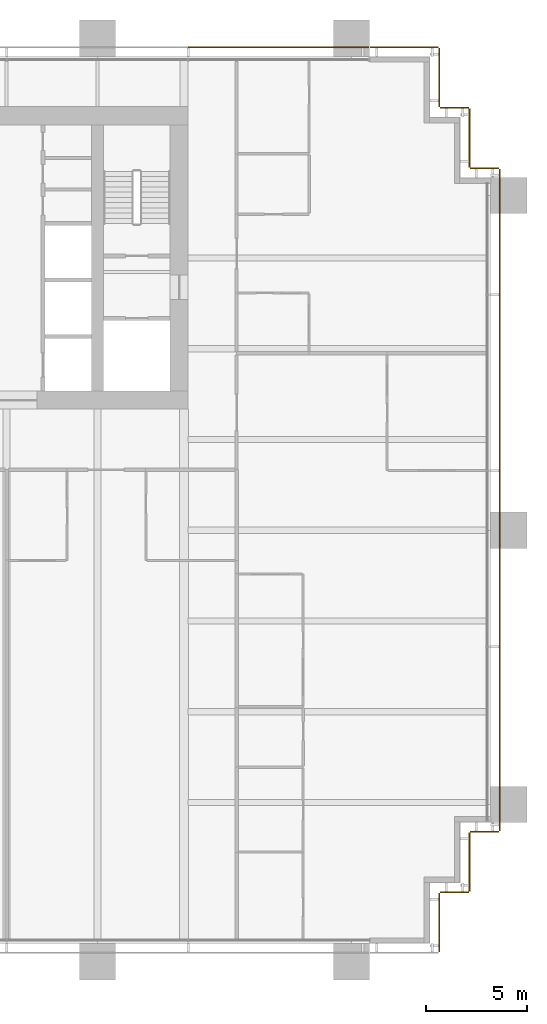
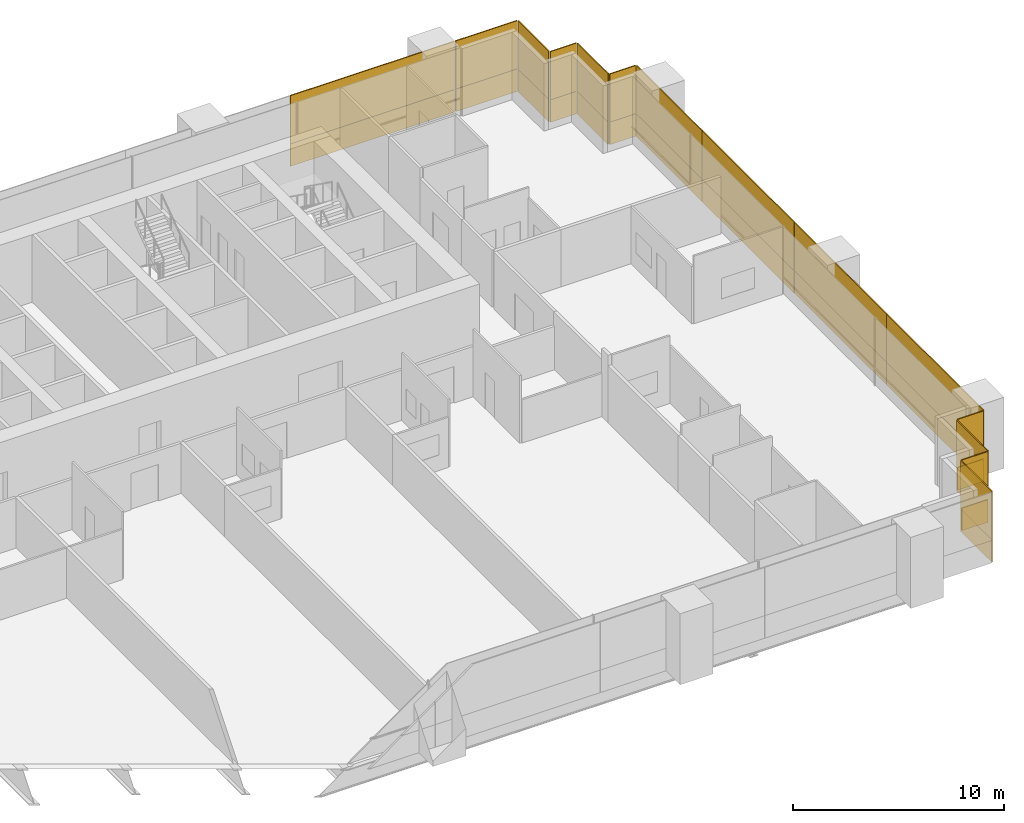
# One storey, part 20 of 20: 28 coverings.
"""IFC4 building model written with IfcOpenShell, lengths in metres."""

from ifc_helpers import new_model, si_unit, direction, frame, origin, origin_2d, place, context, subcontext, project, spatial, rectangle, extrude, material, layer, layer_set, type_object, element, save


model = new_model("IFC4")

# Units and contexts
model_context = context("Model", 3, precision=1e-05, world=origin(), true_north=direction((0.0, 1.0)))
body_context = subcontext(model_context, "Body", "Model", "MODEL_VIEW")
ifc_project = project(units=[si_unit("LENGTHUNIT", "METRE"), si_unit("AREAUNIT", "SQUARE_METRE"), si_unit("VOLUMEUNIT", "CUBIC_METRE"), si_unit("PLANEANGLEUNIT", "RADIAN"), si_unit("MASSUNIT", "GRAM", prefix="KILO")], contexts=[model_context])

# Site, building, storey
site_placement = place(None, origin())
site = spatial("IfcSite", under=ifc_project, at=site_placement, CompositionType="ELEMENT")
building_placement = place(site_placement, origin())
building = spatial("IfcBuilding", under=site, at=building_placement, Name="Rattan Terrace Tower", CompositionType="ELEMENT")
storey_placement = place(building_placement, frame((0.0, 0.0, 40.60009765625)))
storey = spatial("IfcBuildingStorey", under=building, at=storey_placement, Name="L08", CompositionType="ELEMENT", Elevation=40.60009765625)

# Coverings
ifc_material_1 = material(Name="Solid terracotta", Category="masonry")
ifc_layer_1 = layer(ifc_material_1, 0.06005859375)
ifc_layer_set_1 = layer_set([ifc_layer_1], Name="Facade Terracotta Band Panel")
covering_type_1 = type_object("IfcCoveringType", Name="Facade Terracotta Band Panel", PredefinedType="CLADDING", material=ifc_layer_set_1)
covering_1_placement = place(storey_placement, frame((30.449951171875, -32.949951171875, -0.18994140625), z_axis=(0.0, 0.0, 1.0), x_axis=(0.0, 1.0, 0.0)))
element("IfcCovering", 1, at=covering_1_placement, inside=storey, type_object=covering_type_1, Name="OUTER SKIN panel L08-2A", PredefinedType="CLADDING", context=body_context, shape_type="SweptSolid", body=[
    extrude(rectangle(XDim=2.919921875, YDim=0.06005859375, at=origin_2d()), origin(), (0.0, 0.0, 1.0), 1.300048828125),
])
covering_2_placement = place(storey_placement, frame((31.199951171875, -31.449951171875, -0.18994140625), z_axis=(0.0, 0.0, 1.0), x_axis=(1.0, 0.0, 0.0)))
element("IfcCovering", 2, at=covering_2_placement, inside=storey, type_object=covering_type_1, Name="OUTER SKIN panel L08-3A", PredefinedType="CLADDING", context=body_context, shape_type="SweptSolid", body=[
    extrude(rectangle(XDim=1.419921875, YDim=0.06005859375, at=origin_2d()), origin(), (0.0, 0.0, 1.0), 1.300048828125),
])
covering_3_placement = place(storey_placement, frame((31.949951171875, -29.949951171875, -0.18994140625), z_axis=(0.0, 0.0, 1.0), x_axis=(0.0, 1.0, 0.0)))
element("IfcCovering", 3, at=covering_3_placement, inside=storey, type_object=covering_type_1, Name="OUTER SKIN panel L08-4A", PredefinedType="CLADDING", context=body_context, shape_type="SweptSolid", body=[
    extrude(rectangle(XDim=2.919921875, YDim=0.06005859375, at=origin_2d()), origin(), (0.0, 0.0, 1.0), 1.300048828125),
])
covering_4_placement = place(storey_placement, frame((32.699951171875, -28.449951171875, -0.18994140625), z_axis=(0.0, 0.0, 1.0), x_axis=(1.0, 0.0, 0.0)))
element("IfcCovering", 4, at=covering_4_placement, inside=storey, type_object=covering_type_1, Name="OUTER SKIN panel L08-5A", PredefinedType="CLADDING", context=body_context, shape_type="SweptSolid", body=[
    extrude(rectangle(XDim=1.419921875, YDim=0.06005859375, at=origin_2d()), origin(), (0.0, 0.0, 1.0), 1.300048828125),
])
covering_5_placement = place(storey_placement, frame((33.449951171875, -23.846435546875, -0.18994140625), z_axis=(0.0, 0.0, 1.0), x_axis=(0.0, 1.0, 0.0)))
element("IfcCovering", 5, at=covering_5_placement, inside=storey, type_object=covering_type_1, Name="OUTER SKIN panel L08-6A", PredefinedType="CLADDING", context=body_context, shape_type="SweptSolid", body=[
    extrude(rectangle(XDim=9.126953125, YDim=0.06005859375, at=origin_2d()), origin(), (0.0, 0.0, 1.0), 1.300048828125),
])
for number, where, z_axis, x_axis, name in (
    (6, (33.449951171875, -14.909423828125, -0.18994140625), (0.0, 0.0, 1.0), (0.0, 1.0, 0.0), "OUTER SKIN panel L08-7A"),
    (7, (33.449951171875, -6.1826171875, -0.18994140625), (0.0, 0.0, 1.0), (0.0, 1.0, 0.0), "OUTER SKIN panel L08-8A"),
):
    element("IfcCovering", number, at=place(storey_placement, frame(where, z_axis=z_axis, x_axis=x_axis)), inside=storey, type_object=covering_type_1, Name=name, PredefinedType="CLADDING", context=body_context, shape_type="SweptSolid", body=[
        extrude(rectangle(XDim=8.70703125, YDim=0.06005859375, at=origin_2d()), origin(), (0.0, 0.0, 1.0), 1.300048828125),
    ])
covering_6_placement = place(storey_placement, frame((33.449951171875, 1.300537109375, -0.18994140625), z_axis=(0.0, 0.0, 1.0), x_axis=(0.0, 1.0, 0.0)))
element("IfcCovering", 8, at=covering_6_placement, inside=storey, type_object=covering_type_1, Name="OUTER SKIN panel L08-9A", PredefinedType="CLADDING", context=body_context, shape_type="SweptSolid", body=[
    extrude(rectangle(XDim=6.218994140625, YDim=0.06005859375, at=origin_2d()), origin(), (0.0, 0.0, 1.0), 1.300048828125),
])
covering_7_placement = place(storey_placement, frame((32.699951171875, 4.449951171875, -0.18994140625), z_axis=(0.0, 0.0, 1.0), x_axis=(-1.0, 0.0, 0.0)))
element("IfcCovering", 9, at=covering_7_placement, inside=storey, type_object=covering_type_1, Name="OUTER SKIN panel L08-10A", PredefinedType="CLADDING", context=body_context, shape_type="SweptSolid", body=[
    extrude(rectangle(XDim=1.419921875, YDim=0.06005859375, at=origin_2d()), origin(), (0.0, 0.0, 1.0), 1.300048828125),
])
covering_8_placement = place(storey_placement, frame((31.949951171875, 5.949951171875, -0.18994140625), z_axis=(0.0, 0.0, 1.0), x_axis=(0.0, 1.0, 0.0)))
element("IfcCovering", 10, at=covering_8_placement, inside=storey, type_object=covering_type_1, Name="OUTER SKIN panel L08-11A", PredefinedType="CLADDING", context=body_context, shape_type="SweptSolid", body=[
    extrude(rectangle(XDim=2.919921875, YDim=0.06005859375, at=origin_2d()), origin(), (0.0, 0.0, 1.0), 1.300048828125),
])
covering_9_placement = place(storey_placement, frame((31.199951171875, 7.449951171875, -0.18994140625), z_axis=(0.0, 0.0, 1.0), x_axis=(-1.0, 0.0, 0.0)))
element("IfcCovering", 11, at=covering_9_placement, inside=storey, type_object=covering_type_1, Name="OUTER SKIN panel L08-12A", PredefinedType="CLADDING", context=body_context, shape_type="SweptSolid", body=[
    extrude(rectangle(XDim=1.419921875, YDim=0.06005859375, at=origin_2d()), origin(), (0.0, 0.0, 1.0), 1.300048828125),
])
covering_10_placement = place(storey_placement, frame((30.449951171875, 8.949951171875, -0.18994140625), z_axis=(0.0, 0.0, 1.0), x_axis=(0.0, 1.0, 0.0)))
element("IfcCovering", 12, at=covering_10_placement, inside=storey, type_object=covering_type_1, Name="OUTER SKIN panel L08-13A", PredefinedType="CLADDING", context=body_context, shape_type="SweptSolid", body=[
    extrude(rectangle(XDim=2.919921875, YDim=0.06005859375, at=origin_2d()), origin(), (0.0, 0.0, 1.0), 1.300048828125),
])
covering_11_placement = place(storey_placement, frame((28.72509765625, 10.449951171875, -0.18994140625), z_axis=(0.0, 0.0, 1.0), x_axis=(-1.0, 0.0, 0.0)))
element("IfcCovering", 13, at=covering_11_placement, inside=storey, type_object=covering_type_1, Name="OUTER SKIN panel L08-14A", PredefinedType="CLADDING", context=body_context, shape_type="SweptSolid", body=[
    extrude(rectangle(XDim=3.3701171875, YDim=0.06005859375, at=origin_2d()), origin(), (0.0, 0.0, 1.0), 1.300048828125),
])
covering_12_placement = place(storey_placement, frame((22.485107421875, 10.449951171875, -0.18994140625), z_axis=(0.0, 0.0, 1.0), x_axis=(-1.0, 0.0, 0.0)))
element("IfcCovering", 14, at=covering_12_placement, inside=storey, type_object=covering_type_1, Name="OUTER SKIN panel L08-15A", PredefinedType="CLADDING", context=body_context, shape_type="SweptSolid", body=[
    extrude(rectangle(XDim=8.949951171875, YDim=0.06005859375, at=origin_2d()), origin(), (0.0, 0.0, 1.0), 1.300048828125),
])
ifc_material_2 = material(Name="Perforated terracotta", Category="masonry")
ifc_layer_2 = layer(ifc_material_2, 0.06005859375)
ifc_layer_set_2 = layer_set([ifc_layer_2], Name="Facade Terracotta Screen Panel")
covering_type_2 = type_object("IfcCoveringType", Name="Facade Terracotta Screen Panel", PredefinedType="CLADDING", material=ifc_layer_set_2)
covering_13_placement = place(storey_placement, frame((30.449951171875, -32.949951171875, 1.10986328125), z_axis=(0.0, 0.0, 1.0), x_axis=(0.0, 1.0, 0.0)))
element("IfcCovering", 15, at=covering_13_placement, inside=storey, type_object=covering_type_2, Name="OUTER SKIN panel L08-2B", PredefinedType="CLADDING", context=body_context, shape_type="SweptSolid", body=[
    extrude(rectangle(XDim=2.919921875, YDim=0.06005859375, at=origin_2d()), origin(), (0.0, 0.0, 1.0), 2.780029296875),
])
covering_14_placement = place(storey_placement, frame((31.199951171875, -31.449951171875, 1.10986328125), z_axis=(0.0, 0.0, 1.0), x_axis=(1.0, 0.0, 0.0)))
element("IfcCovering", 16, at=covering_14_placement, inside=storey, type_object=covering_type_2, Name="OUTER SKIN panel L08-3B", PredefinedType="CLADDING", context=body_context, shape_type="SweptSolid", body=[
    extrude(rectangle(XDim=1.419921875, YDim=0.06005859375, at=origin_2d()), origin(), (0.0, 0.0, 1.0), 2.780029296875),
])
covering_15_placement = place(storey_placement, frame((31.949951171875, -29.949951171875, 1.10986328125), z_axis=(0.0, 0.0, 1.0), x_axis=(0.0, 1.0, 0.0)))
element("IfcCovering", 17, at=covering_15_placement, inside=storey, type_object=covering_type_2, Name="OUTER SKIN panel L08-4B", PredefinedType="CLADDING", context=body_context, shape_type="SweptSolid", body=[
    extrude(rectangle(XDim=2.919921875, YDim=0.06005859375, at=origin_2d()), origin(), (0.0, 0.0, 1.0), 2.780029296875),
])
covering_16_placement = place(storey_placement, frame((32.699951171875, -28.449951171875, 1.10986328125), z_axis=(0.0, 0.0, 1.0), x_axis=(1.0, 0.0, 0.0)))
element("IfcCovering", 18, at=covering_16_placement, inside=storey, type_object=covering_type_2, Name="OUTER SKIN panel L08-5B", PredefinedType="CLADDING", context=body_context, shape_type="SweptSolid", body=[
    extrude(rectangle(XDim=1.419921875, YDim=0.06005859375, at=origin_2d()), origin(), (0.0, 0.0, 1.0), 2.780029296875),
])
covering_17_placement = place(storey_placement, frame((33.449951171875, -23.846435546875, 1.10986328125), z_axis=(0.0, 0.0, 1.0), x_axis=(0.0, 1.0, 0.0)))
element("IfcCovering", 19, at=covering_17_placement, inside=storey, type_object=covering_type_2, Name="OUTER SKIN panel L08-6B", PredefinedType="CLADDING", context=body_context, shape_type="SweptSolid", body=[
    extrude(rectangle(XDim=9.126953125, YDim=0.06005859375, at=origin_2d()), origin(), (0.0, 0.0, 1.0), 2.780029296875),
])
for number, where, z_axis, x_axis, name in (
    (20, (33.449951171875, -14.909423828125, 1.10986328125), (0.0, 0.0, 1.0), (0.0, 1.0, 0.0), "OUTER SKIN panel L08-7B"),
    (21, (33.449951171875, -6.1826171875, 1.10986328125), (0.0, 0.0, 1.0), (0.0, 1.0, 0.0), "OUTER SKIN panel L08-8B"),
):
    element("IfcCovering", number, at=place(storey_placement, frame(where, z_axis=z_axis, x_axis=x_axis)), inside=storey, type_object=covering_type_2, Name=name, PredefinedType="CLADDING", context=body_context, shape_type="SweptSolid", body=[
        extrude(rectangle(XDim=8.70703125, YDim=0.06005859375, at=origin_2d()), origin(), (0.0, 0.0, 1.0), 2.780029296875),
    ])
covering_18_placement = place(storey_placement, frame((33.449951171875, 1.300537109375, 1.10986328125), z_axis=(0.0, 0.0, 1.0), x_axis=(0.0, 1.0, 0.0)))
element("IfcCovering", 22, at=covering_18_placement, inside=storey, type_object=covering_type_2, Name="OUTER SKIN panel L08-9B", PredefinedType="CLADDING", context=body_context, shape_type="SweptSolid", body=[
    extrude(rectangle(XDim=6.218994140625, YDim=0.06005859375, at=origin_2d()), origin(), (0.0, 0.0, 1.0), 2.780029296875),
])
covering_19_placement = place(storey_placement, frame((32.699951171875, 4.449951171875, 1.10986328125), z_axis=(0.0, 0.0, 1.0), x_axis=(-1.0, 0.0, 0.0)))
element("IfcCovering", 23, at=covering_19_placement, inside=storey, type_object=covering_type_2, Name="OUTER SKIN panel L08-10B", PredefinedType="CLADDING", context=body_context, shape_type="SweptSolid", body=[
    extrude(rectangle(XDim=1.419921875, YDim=0.06005859375, at=origin_2d()), origin(), (0.0, 0.0, 1.0), 2.780029296875),
])
covering_20_placement = place(storey_placement, frame((31.949951171875, 5.949951171875, 1.10986328125), z_axis=(0.0, 0.0, 1.0), x_axis=(0.0, 1.0, 0.0)))
element("IfcCovering", 24, at=covering_20_placement, inside=storey, type_object=covering_type_2, Name="OUTER SKIN panel L08-11B", PredefinedType="CLADDING", context=body_context, shape_type="SweptSolid", body=[
    extrude(rectangle(XDim=2.919921875, YDim=0.06005859375, at=origin_2d()), origin(), (0.0, 0.0, 1.0), 2.780029296875),
])
covering_21_placement = place(storey_placement, frame((31.199951171875, 7.449951171875, 1.10986328125), z_axis=(0.0, 0.0, 1.0), x_axis=(-1.0, 0.0, 0.0)))
element("IfcCovering", 25, at=covering_21_placement, inside=storey, type_object=covering_type_2, Name="OUTER SKIN panel L08-12B", PredefinedType="CLADDING", context=body_context, shape_type="SweptSolid", body=[
    extrude(rectangle(XDim=1.419921875, YDim=0.06005859375, at=origin_2d()), origin(), (0.0, 0.0, 1.0), 2.780029296875),
])
covering_22_placement = place(storey_placement, frame((30.449951171875, 8.949951171875, 1.10986328125), z_axis=(0.0, 0.0, 1.0), x_axis=(0.0, 1.0, 0.0)))
element("IfcCovering", 26, at=covering_22_placement, inside=storey, type_object=covering_type_2, Name="OUTER SKIN panel L08-13B", PredefinedType="CLADDING", context=body_context, shape_type="SweptSolid", body=[
    extrude(rectangle(XDim=2.919921875, YDim=0.06005859375, at=origin_2d()), origin(), (0.0, 0.0, 1.0), 2.780029296875),
])
covering_23_placement = place(storey_placement, frame((28.72509765625, 10.449951171875, 1.10986328125), z_axis=(0.0, 0.0, 1.0), x_axis=(-1.0, 0.0, 0.0)))
element("IfcCovering", 27, at=covering_23_placement, inside=storey, type_object=covering_type_2, Name="OUTER SKIN panel L08-14B", PredefinedType="CLADDING", context=body_context, shape_type="SweptSolid", body=[
    extrude(rectangle(XDim=3.3701171875, YDim=0.06005859375, at=origin_2d()), origin(), (0.0, 0.0, 1.0), 2.780029296875),
])
covering_24_placement = place(storey_placement, frame((22.485107421875, 10.449951171875, 1.10986328125), z_axis=(0.0, 0.0, 1.0), x_axis=(-1.0, 0.0, 0.0)))
element("IfcCovering", 28, at=covering_24_placement, inside=storey, type_object=covering_type_2, Name="OUTER SKIN panel L08-15B", PredefinedType="CLADDING", context=body_context, shape_type="SweptSolid", body=[
    extrude(rectangle(XDim=8.949951171875, YDim=0.06005859375, at=origin_2d()), origin(), (0.0, 0.0, 1.0), 2.780029296875),
])

save(model, "model.ifc")
